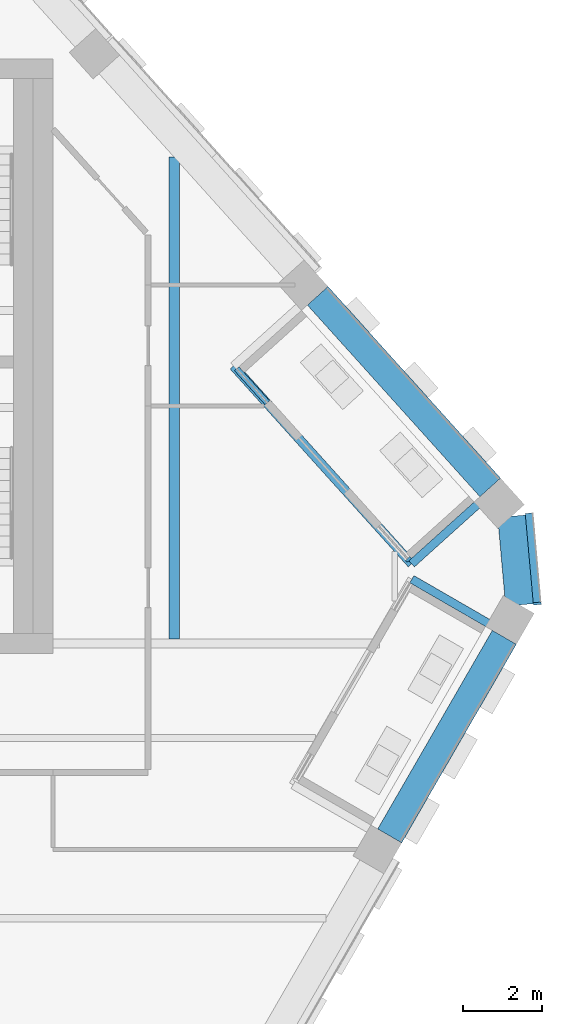
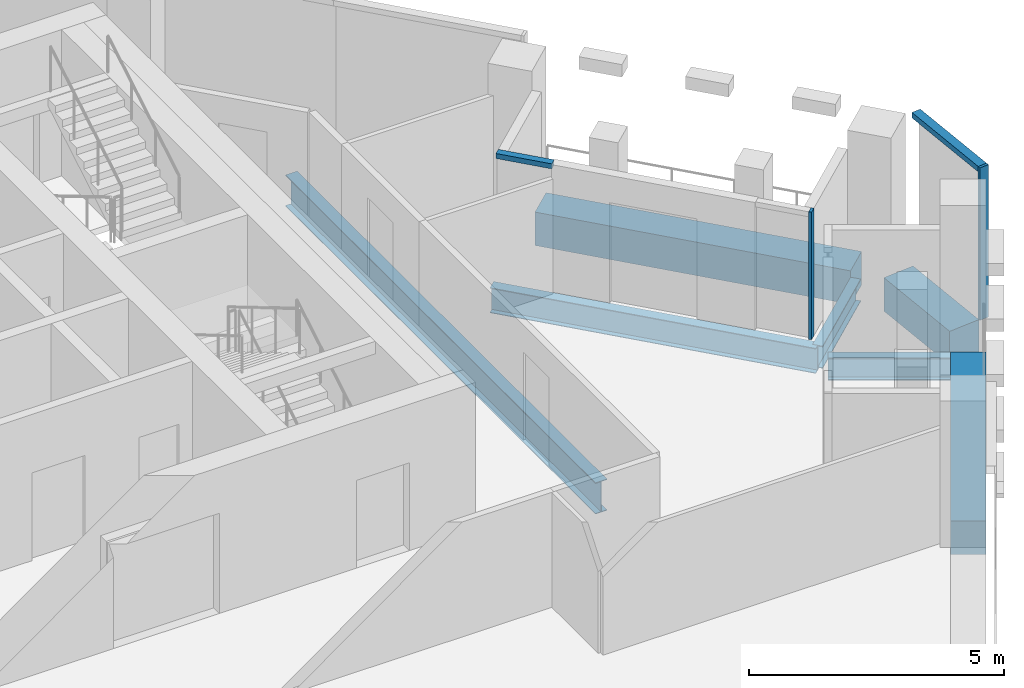
# One storey, part 6 of 22: 7 beams, 4 members, 2 elements without a shape of their own.
"""IFC4 building model written with IfcOpenShell, lengths in metres."""

from ifc_helpers import new_model, si_unit, direction, frame, origin, origin_2d, place, context, subcontext, project, spatial, rectangle, i_section, extrude, material, layer, layer_set, material_profile, profile_set, type_object, element, aggregate, save


model = new_model("IFC4")

# Units and contexts
model_context = context("Model", 3, precision=1e-05, world=origin(), true_north=direction((0.0, 1.0)))
body_context = subcontext(model_context, "Body", "Model", "MODEL_VIEW")
ifc_project = project(units=[si_unit("LENGTHUNIT", "METRE"), si_unit("AREAUNIT", "SQUARE_METRE"), si_unit("VOLUMEUNIT", "CUBIC_METRE"), si_unit("PLANEANGLEUNIT", "RADIAN"), si_unit("MASSUNIT", "GRAM", prefix="KILO")], contexts=[model_context])

# Site, building, storey
site_placement = place(None, origin())
site = spatial("IfcSite", under=ifc_project, at=site_placement, CompositionType="ELEMENT")
building_placement = place(site_placement, origin())
building = spatial("IfcBuilding", under=site, at=building_placement, Name="Isthmus Gate Tower", CompositionType="ELEMENT")
storey_placement = place(building_placement, frame((0.0, 0.0, 264.60009765625)))
storey = spatial("IfcBuildingStorey", under=building, at=storey_placement, Name="L67", CompositionType="ELEMENT", Elevation=264.60009765625)

# Curtain wall, members
ifc_material_1 = material(Name="Aluminium, pale champagne anodised", Category="aluminium")
ifc_layer_1 = layer(ifc_material_1, 0.199951171875)
ifc_layer_set_1 = layer_set([ifc_layer_1], Name="CW-1 UNITISED CURTAIN WALL 200 DEEP")
curtain_wall_type_1 = type_object("IfcCurtainWallType", Name="CW-1 UNITISED CURTAIN WALL 200 DEEP", PredefinedType="NOTDEFINED", material=ifc_layer_set_1)
curtain_wall_1_placement = place(storey_placement, origin())
curtain_wall_1 = element("IfcCurtainWall", 1, at=curtain_wall_1_placement, inside=storey, type_object=curtain_wall_type_1, Name="CW-1 SE-NE L67", PredefinedType="NOTDEFINED")
ifc_material_2 = material(Name="Aluminium, pale champagne anodised", Category="aluminium")
ifc_material_profile_1 = material_profile(ifc_material_2, rectangle(XDim=0.06005859375, YDim=0.199951171875, at=origin_2d()), Name="60x200")
ifc_profile_set_1 = profile_set([ifc_material_profile_1], Name="Aluminium, pale champagne anodised")
member_type_1 = type_object("IfcMemberType", Name="CW-1 MULLION 60 X 200", PredefinedType="MULLION", material=ifc_profile_set_1)
member_1_placement = place(storey_placement, frame((27.21875, 1.258056640625, 0.0), z_axis=(0.0, 0.0, 1.0), x_axis=(-0.089396669717, 0.995996102123, 0.0)))
member_1 = element("IfcMember", 2, at=member_1_placement, type_object=member_type_1, Name="CW-1 mullion", PredefinedType="MULLION", context=body_context, shape_type="SweptSolid", body=[
    extrude(rectangle(XDim=0.06005859375, YDim=0.199951171875, at=origin_2d()), origin(), (0.0, 0.0, 1.0), 3.64990234375),
])
ifc_material_3 = material(Name="Aluminium, pale champagne anodised", Category="aluminium")
ifc_material_profile_2 = material_profile(ifc_material_3, rectangle(XDim=0.199951171875, YDim=0.1298828125, at=origin_2d()), Name="200x130")
ifc_profile_set_2 = profile_set([ifc_material_profile_2], Name="Aluminium, pale champagne anodised")
member_type_2 = type_object("IfcMemberType", Name="CW-1 TRANSOM 200 X 130", PredefinedType="USERDEFINED", material=ifc_profile_set_2)
member_2_placement = place(storey_placement, frame((27.216064453125, 1.287841796875, 3.5849609375), z_axis=(-0.089395362867, 0.995996219419, 0.0), x_axis=(-0.995996219419, -0.089395362867, 0.0)))
member_2 = element("IfcMember", 3, at=member_2_placement, type_object=member_type_2, Name="CW-1 transom", ObjectType="TRANSOM", PredefinedType="USERDEFINED", context=body_context, shape_type="SweptSolid", body=[
    extrude(rectangle(XDim=0.199951171875, YDim=0.1298828125, at=origin_2d()), origin(), (0.0, 0.0, 1.0), 2.258544921875),
])
aggregate(curtain_wall_1, [member_1, member_2])

ifc_material_4 = material(Name="Aluminium, pale champagne anodised", Category="aluminium")
ifc_layer_2 = layer(ifc_material_4, 0.14990234375)
ifc_layer_set_2 = layer_set([ifc_layer_2], Name="CW-6 LOGGIA BACK WALL GLAZING 150 DEEP")
curtain_wall_type_2 = type_object("IfcCurtainWallType", Name="CW-6 LOGGIA BACK WALL GLAZING 150 DEEP", PredefinedType="NOTDEFINED", material=ifc_layer_set_2)
curtain_wall_2_placement = place(storey_placement, origin())
curtain_wall_2 = element("IfcCurtainWall", 4, at=curtain_wall_2_placement, inside=storey, type_object=curtain_wall_type_2, Name="CW-6 NE L67", PredefinedType="NOTDEFINED")
ifc_material_5 = material(Name="Aluminium, pale champagne anodised", Category="aluminium")
ifc_material_profile_3 = material_profile(ifc_material_5, rectangle(XDim=0.06005859375, YDim=0.14990234375, at=origin_2d()), Name="60x150")
ifc_profile_set_3 = profile_set([ifc_material_profile_3], Name="Aluminium, pale champagne anodised")
member_type_3 = type_object("IfcMemberType", Name="CW-6 MULLION 60 X 150", PredefinedType="MULLION", material=ifc_profile_set_3)
member_3_placement = place(storey_placement, frame((23.96826171875, 2.369384765625, 0.0), z_axis=(0.0, 0.0, 1.0), x_axis=(-0.669130606359, 0.743144825477, 0.0)))
member_3 = element("IfcMember", 5, at=member_3_placement, type_object=member_type_3, Name="CW-6 mullion", PredefinedType="MULLION", context=body_context, shape_type="SweptSolid", body=[
    extrude(rectangle(XDim=0.06005859375, YDim=0.14990234375, at=origin_2d()), origin(), (0.0, 0.0, 1.0), 3.0498046875),
])
ifc_material_6 = material(Name="Aluminium, pale champagne anodised", Category="aluminium")
ifc_material_profile_4 = material_profile(ifc_material_6, rectangle(XDim=0.14990234375, YDim=0.1201171875, at=origin_2d()), Name="150x120")
ifc_profile_set_4 = profile_set([ifc_material_profile_4], Name="Aluminium, pale champagne anodised")
member_type_4 = type_object("IfcMemberType", Name="CW-6 TRANSOM 150 X 120", PredefinedType="USERDEFINED", material=ifc_profile_set_4)
member_4_placement = place(storey_placement, frame((20.40625, 6.325439453125, 2.989990234375), z_axis=(-0.669093361694, 0.743178359034, 0.0), x_axis=(-0.743178359034, -0.669093361694, 0.0)))
member_4 = element("IfcMember", 6, at=member_4_placement, type_object=member_type_4, Name="CW-6 transom", ObjectType="TRANSOM", PredefinedType="USERDEFINED", context=body_context, shape_type="SweptSolid", body=[
    extrude(rectangle(XDim=0.14990234375, YDim=0.1201171875, at=origin_2d()), origin(), (0.0, 0.0, 1.0), 1.1533203125),
])
aggregate(curtain_wall_2, [member_3, member_4])

# Beams
ifc_material_7 = material(Name="Concrete f'c 50 MPa", Category="concrete")
ifc_material_profile_5 = material_profile(ifc_material_7, rectangle(XDim=0.699951171875, YDim=0.800048828125, at=origin_2d()), Name="RC 700X800")
ifc_profile_set_5 = profile_set([ifc_material_profile_5], Name="Concrete f'c 50 MPa")
beam_type_1 = type_object("IfcBeamType", Name="RC SPANDREL 700 X 800", PredefinedType="SPANDREL", material=ifc_profile_set_5)
beam_1_placement = place(storey_placement, frame((21.67822265625, 9.022705078125, -0.400146484375), z_axis=(0.669122265754, -0.743152335307, 0.0), x_axis=(0.743152335307, 0.669122265754, 0.0)))
element("IfcBeam", 7, at=beam_1_placement, inside=storey, type_object=beam_type_1, Name="str-spandrel-L67-03", PredefinedType="SPANDREL", context=body_context, shape_type="SweptSolid", body=[
    extrude(rectangle(XDim=0.699951171875, YDim=0.800048828125, at=origin_2d()), origin(), (0.0, 0.0, 1.0), 6.506591796875),
])
beam_2_placement = place(storey_placement, frame((26.5693359375, 3.459716796875, -0.400146484375), z_axis=(0.089359478208, -0.995999439585, 0.0), x_axis=(0.995999439585, 0.089359478208, 0.0)))
element("IfcBeam", 8, at=beam_2_placement, inside=storey, type_object=beam_type_1, Name="str-spandrel-L67-04", PredefinedType="SPANDREL", context=body_context, shape_type="SweptSolid", body=[
    extrude(rectangle(XDim=0.699951171875, YDim=0.800048828125, at=origin_2d()), origin(), (0.0, 0.0, 1.0), 2.245849609375),
])
beam_3_placement = place(storey_placement, frame((26.387451171875, 0.404541015625, -0.400146484375), z_axis=(-0.499979418648, -0.866037286108, 0.0), x_axis=(0.866037286108, -0.499979418648, 0.0)))
element("IfcBeam", 9, at=beam_3_placement, inside=storey, type_object=beam_type_1, Name="str-spandrel-L67-05", PredefinedType="SPANDREL", context=body_context, shape_type="SweptSolid", body=[
    extrude(rectangle(XDim=0.699951171875, YDim=0.800048828125, at=origin_2d()), origin(), (0.0, 0.0, 1.0), 5.784423828125),
])
ifc_material_8 = material(Name="Structural steel ASTM A992 Gr 50", Category="steel")
ifc_material_profile_6 = material_profile(ifc_material_8, i_section(OverallWidth=0.263427734375, OverallDepth=0.749267578125, WebThickness=0.0126953125, FlangeThickness=0.015869140625, at=origin_2d()), Name="W30X90")
ifc_profile_set_6 = profile_set([ifc_material_profile_6], Name="Structural steel ASTM A992 Gr 50")
beam_type_2 = type_object("IfcBeamType", Name="STEEL FLOOR BEAM W30X90", PredefinedType="JOIST", material=ifc_profile_set_6)
beam_4_placement = place(storey_placement, frame((18.05712890625, 0.3642578125, -0.524658203125), z_axis=(0.0, 1.0, 0.0), x_axis=(-1.0, 0.0, 0.0)))
element("IfcBeam", 10, at=beam_4_placement, inside=storey, type_object=beam_type_2, Name="str-beam-L67-11-06", PredefinedType="JOIST", context=body_context, shape_type="SweptSolid", body=[
    extrude(i_section(OverallWidth=0.263427734375, OverallDepth=0.749267578125, WebThickness=0.0126953125, FlangeThickness=0.015869140625, at=origin_2d()), origin(), (0.0, 0.0, 1.0), 12.156982421875),
])
ifc_material_9 = material(Name="Structural steel ASTM A992 Gr 50", Category="steel")
ifc_material_profile_7 = material_profile(ifc_material_9, i_section(OverallWidth=0.20947265625, OverallDepth=0.533447265625, WebThickness=0.009521484375, FlangeThickness=0.015869140625, at=origin_2d()), Name="W21X62")
ifc_profile_set_7 = profile_set([ifc_material_profile_7], Name="Structural steel ASTM A992 Gr 50")
beam_type_3 = type_object("IfcBeamType", Name="STEEL TRIMMER W21X62", PredefinedType="BEAM", material=ifc_profile_set_7)
beam_5_placement = place(storey_placement, frame((26.13671875, 0.670166015625, -0.416748046875), z_axis=(-0.866016514357, 0.500015396624, 0.0), x_axis=(-0.500015396624, -0.866016514357, 0.0)))
element("IfcBeam", 11, at=beam_5_placement, inside=storey, type_object=beam_type_3, Name="str-loggiatrim-L67-04-C", PredefinedType="BEAM", context=body_context, shape_type="SweptSolid", body=[
    extrude(i_section(OverallWidth=0.20947265625, OverallDepth=0.533447265625, WebThickness=0.009521484375, FlangeThickness=0.015869140625, at=origin_2d()), origin(), (0.0, 0.0, 1.0), 2.40478515625),
])
beam_6_placement = place(storey_placement, frame((25.842041015625, 3.875244140625, -0.416748046875), z_axis=(-0.743148311246, -0.669126735, 0.0), x_axis=(0.669126735, -0.743148311246, 0.0)))
element("IfcBeam", 12, at=beam_6_placement, inside=storey, type_object=beam_type_3, Name="str-loggiatrim-L67-05-A", PredefinedType="BEAM", context=body_context, shape_type="SweptSolid", body=[
    extrude(i_section(OverallWidth=0.20947265625, OverallDepth=0.533447265625, WebThickness=0.009521484375, FlangeThickness=0.015869140625, at=origin_2d()), origin(), (0.0, 0.0, 1.0), 2.414306640625),
])
ifc_material_10 = material(Name="Structural steel ASTM A992 Gr 50", Category="steel")
ifc_material_profile_8 = material_profile(ifc_material_10, i_section(OverallWidth=0.228515625, OverallDepth=0.603271484375, WebThickness=0.010986328125, FlangeThickness=0.014404296875, at=origin_2d()), Name="W24X68")
ifc_profile_set_8 = profile_set([ifc_material_profile_8], Name="Structural steel ASTM A992 Gr 50")
beam_type_4 = type_object("IfcBeamType", Name="STEEL TRIMMER W24X68", PredefinedType="BEAM", material=ifc_profile_set_8)
beam_7_placement = place(storey_placement, frame((24.0478515625, 2.259765625, -0.45166015625), z_axis=(-0.669133411184, 0.743142299992, 0.0), x_axis=(-0.743142299992, -0.669133411184, 0.0)))
element("IfcBeam", 13, at=beam_7_placement, inside=storey, type_object=beam_type_4, Name="str-loggiatrim-L67-05-B", PredefinedType="BEAM", context=body_context, shape_type="SweptSolid", body=[
    extrude(i_section(OverallWidth=0.228515625, OverallDepth=0.603271484375, WebThickness=0.010986328125, FlangeThickness=0.014404296875, at=origin_2d()), origin(), (0.0, 0.0, 1.0), 6.71630859375),
])

save(model, "model.ifc")
